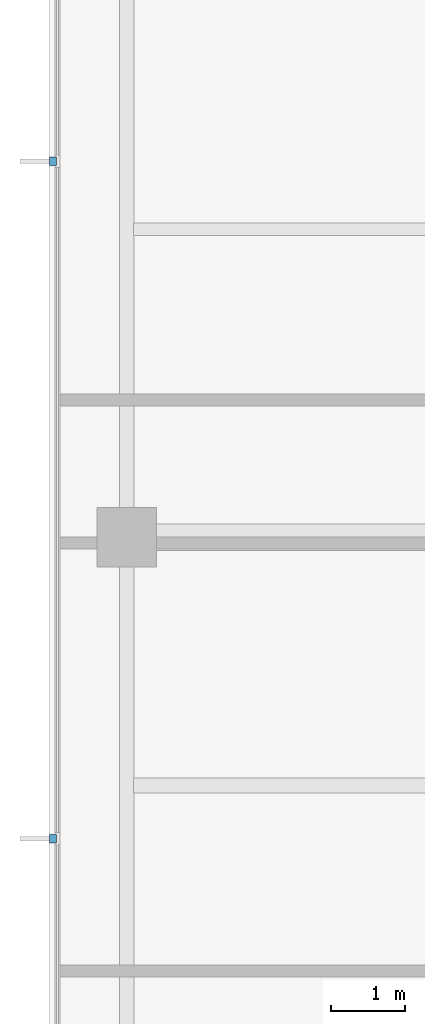
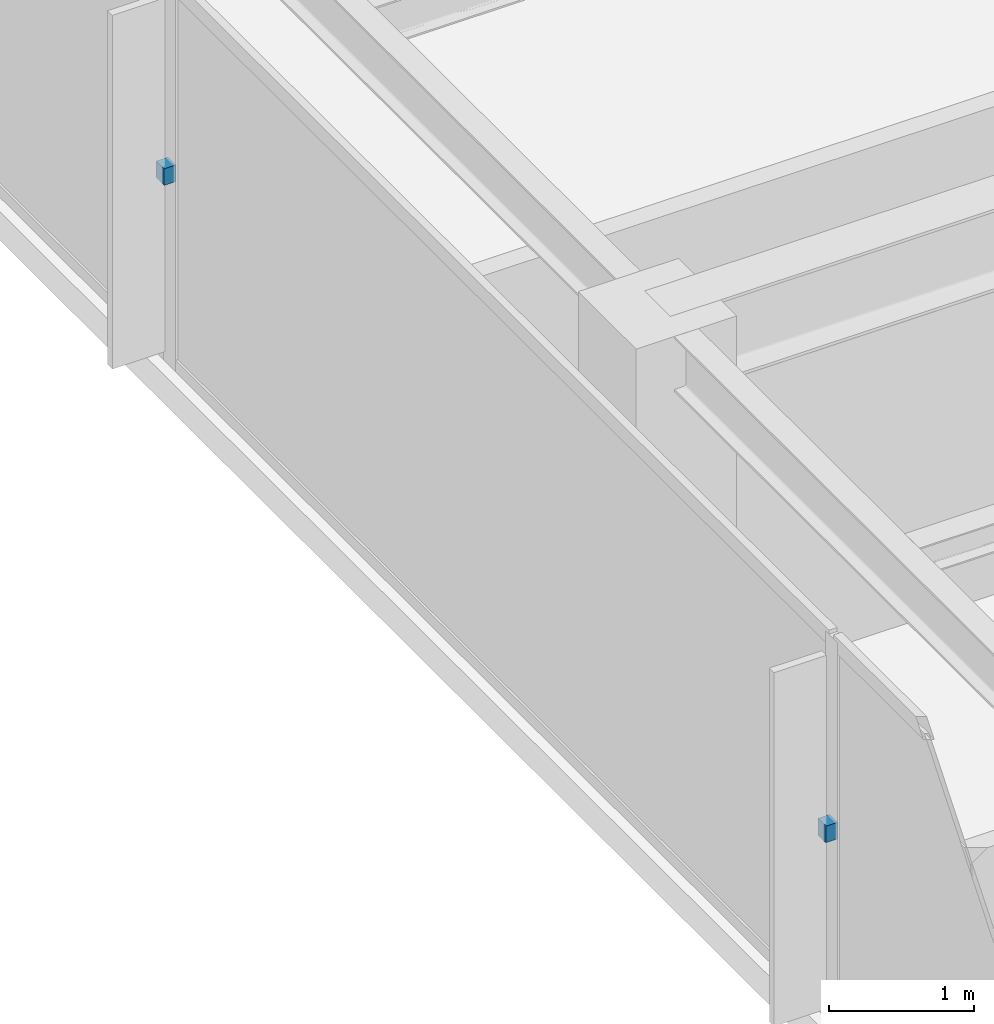
# One storey, part 9 of 11: 2 discrete accessories.
"""IFC4 building model written with IfcOpenShell, lengths in metres."""

from ifc_helpers import new_model, si_unit, direction, frame, origin, place, context, subcontext, project, spatial, polyline, outline, extrude, material, type_object, element, save


model = new_model("IFC4")

# Units and contexts
model_context = context("Model", 3, precision=1e-05, world=origin(), true_north=direction((0.0, 1.0)))
body_context = subcontext(model_context, "Body", "Model", "MODEL_VIEW")
ifc_project = project(units=[si_unit("LENGTHUNIT", "METRE"), si_unit("AREAUNIT", "SQUARE_METRE"), si_unit("VOLUMEUNIT", "CUBIC_METRE"), si_unit("PLANEANGLEUNIT", "RADIAN"), si_unit("MASSUNIT", "GRAM", prefix="KILO")], contexts=[model_context])

# Site, building, storey
site_placement = place(None, origin())
site = spatial("IfcSite", under=ifc_project, at=site_placement, CompositionType="ELEMENT")
building_placement = place(site_placement, origin())
building = spatial("IfcBuilding", under=site, at=building_placement, Name="Qalmaran Belvedere Hotel", CompositionType="ELEMENT")
storey_placement = place(building_placement, frame((0.0, 0.0, 249.39990234375)))
storey = spatial("IfcBuildingStorey", under=building, at=storey_placement, Name="L64", CompositionType="ELEMENT", Elevation=249.39990234375)

# Discrete accessories
ifc_material = material(Name="Stainless Steel 1.4401", Category="steel")
discrete_accessory_type = type_object("IfcDiscreteAccessoryType", Name="BRK-FIN-SS316", PredefinedType="BRACKET", material=ifc_material)
discrete_accessory_1_placement = place(storey_placement, frame((0.0, 0.0, 1.580078125)))
element("IfcDiscreteAccessory", 1, at=discrete_accessory_1_placement, inside=storey, type_object=discrete_accessory_type, Name="L64 Fin Bracket 1", PredefinedType="BRACKET", context=body_context, shape_type="SweptSolid", body=[
    extrude(outline(polyline([(11.455078125, 25.62158203125), (11.362548828125, 25.62158203125), (11.362548828125, 25.51171875), (11.455078125, 25.51171875), (11.455078125, 25.62158203125)])), origin(), (0.0, 0.0, 1.0), 0.14013671875),
])
discrete_accessory_2_placement = place(storey_placement, frame((0.0, 0.0, 1.580078125)))
element("IfcDiscreteAccessory", 2, at=discrete_accessory_2_placement, inside=storey, type_object=discrete_accessory_type, Name="L64 Fin Bracket 2", PredefinedType="BRACKET", context=body_context, shape_type="SweptSolid", body=[
    extrude(outline(polyline([(11.455078125, 16.48828125), (11.362548828125, 16.48828125), (11.362548828125, 16.37841796875), (11.455078125, 16.37841796875), (11.455078125, 16.48828125)])), origin(), (0.0, 0.0, 1.0), 0.14013671875),
])

save(model, "model.ifc")
